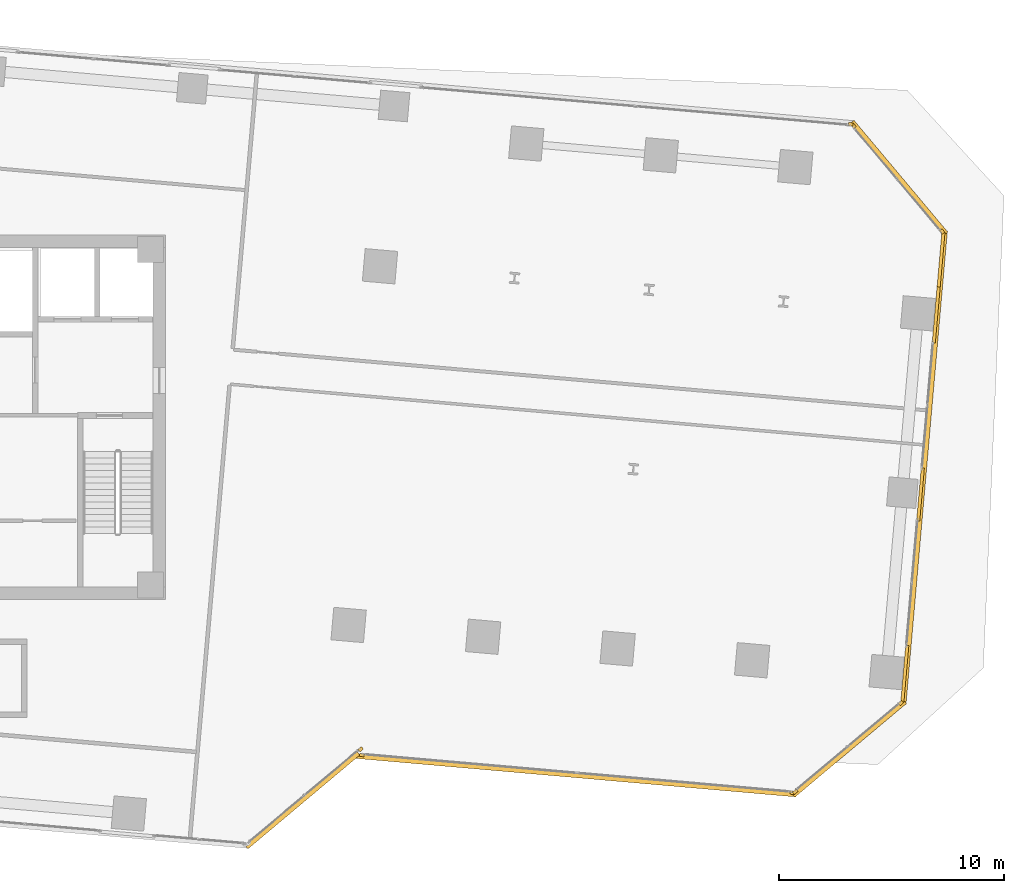
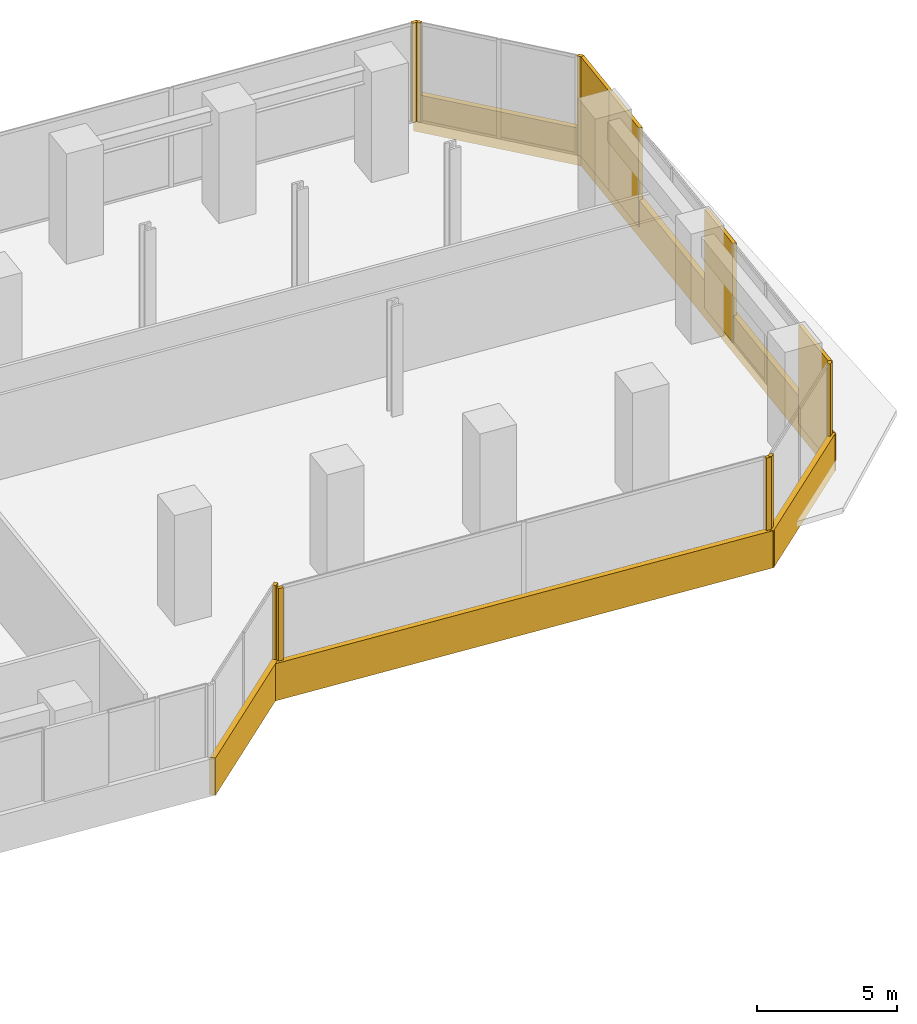
# One storey, part 23 of 24: 17 coverings.
"""IFC4 building model written with IfcOpenShell, lengths in metres."""

import ifcopenshell
import ifcopenshell.guid

model = None  # the IFC model being written
_history = None  # IfcOwnerHistory: only IFC2X3 demands one
_inside = {}  # id of a spatial element -> (the spatial element, [elements in it])
_under = {}  # id of a project, library or spatial element -> (it, [spatial elements below it])
_declared = {}  # id of a project -> (the project, [libraries it declares])
_typed = {}  # id of a type object -> (the type object, [elements of that type])
_made_of = {}  # id of a material, layer set ... -> (it, [elements and type objects made of it])


def new_model(schema):
    """Start an empty IFC model of exactly this schema.

    Asked for "IFC4X3", IfcOpenShell would pick the latest addendum, in which some entities
    have other attributes; the version numbers below select the first issue.
    IFC2X3 requires an IfcOwnerHistory on every rooted entity: one is made here for all.
    """
    global model, _history
    if schema == "IFC4X3":
        model = ifcopenshell.file(schema_version=(4, 3, 0, 0))
    else:
        model = ifcopenshell.file(schema=schema)
    _inside.clear()
    _under.clear()
    _declared.clear()
    _typed.clear()
    _made_of.clear()
    _history = None
    if model.schema == "IFC2X3":
        org = make("IfcOrganization", Name="unknown")
        user = make(
            "IfcPersonAndOrganization",
            ThePerson=make("IfcPerson", FamilyName="unknown"),
            TheOrganization=org,
        )
        app = make(
            "IfcApplication",
            ApplicationDeveloper=org,
            Version="unknown",
            ApplicationFullName="unknown",
            ApplicationIdentifier="unknown",
        )
        _history = make(
            "IfcOwnerHistory",
            OwningUser=user,
            OwningApplication=app,
            ChangeAction="ADDED",
            CreationDate=0,
        )
    return model


def make(cls, **values):
    """One entity of the class cls with the attributes given. An attribute that is None is left unset."""
    return model.create_entity(
        cls, **{name: value for name, value in values.items() if value is not None}
    )


def rooted(cls, **values):
    """An entity with a GlobalId (a new one), such as an element, a storey or a relation."""
    return make(cls, GlobalId=ifcopenshell.guid.new(), OwnerHistory=_history, **values)


def si_unit(unit_type, name, prefix=None):
    """IfcSIUnit, for example si_unit("LENGTHUNIT", "METRE", prefix="MILLI")."""
    return make("IfcSIUnit", UnitType=unit_type, Prefix=prefix, Name=name)


def assignment(units):
    """IfcUnitAssignment: the units of a project."""
    return None if units is None else make("IfcUnitAssignment", Units=units)


def point(xyz):
    """IfcCartesianPoint."""
    return None if xyz is None else make("IfcCartesianPoint", Coordinates=xyz)


def direction(xyz):
    """IfcDirection."""
    return None if xyz is None else make("IfcDirection", DirectionRatios=xyz)


def frame(location, z_axis=None, x_axis=None):
    """IfcAxis2Placement3D, a coordinate frame: its origin and axes. An axis left out is left unset."""
    return make(
        "IfcAxis2Placement3D",
        Location=point(location),
        Axis=direction(z_axis),
        RefDirection=direction(x_axis),
    )


def frame_2d(location, x_axis=None):
    """IfcAxis2Placement2D, a coordinate frame in the plane: its origin and x axis."""
    return make(
        "IfcAxis2Placement2D", Location=point(location), RefDirection=direction(x_axis)
    )


def origin():
    """The frame at (0, 0, 0) with its axes left unset."""
    return frame((0.0, 0.0, 0.0))


def origin_2d():
    """The frame at (0, 0) in the plane with its x axis left unset."""
    return frame_2d((0.0, 0.0))


def place(relative_to, where):
    """IfcLocalPlacement: puts the frame where relative to a parent placement (None: the world)."""
    return make(
        "IfcLocalPlacement", PlacementRelTo=relative_to, RelativePlacement=where
    )


def context(
    kind, dimensions, precision=None, world=None, true_north=None, identifier=None
):
    """IfcGeometricRepresentationContext, for example the 3D "Model" context."""
    return make(
        "IfcGeometricRepresentationContext",
        ContextIdentifier=identifier,
        ContextType=kind,
        CoordinateSpaceDimension=dimensions,
        Precision=precision,
        WorldCoordinateSystem=world,
        TrueNorth=true_north,
    )


def subcontext(parent, identifier, kind, view, scale=None):
    """IfcGeometricRepresentationSubContext, for example "Body" below "Model"."""
    return make(
        "IfcGeometricRepresentationSubContext",
        ContextIdentifier=identifier,
        ContextType=kind,
        ParentContext=parent,
        TargetScale=scale,
        TargetView=view,
    )


def project(units=None, contexts=None):
    """IfcProject with its units and contexts."""
    return rooted(
        "IfcProject",
        Name="project",
        RepresentationContexts=contexts,
        UnitsInContext=assignment(units),
    )


def spatial(cls, under=None, at=None, **own):
    """A site, building, storey or space (cls), placed at a placement, below another one or the project."""
    s = rooted(cls, ObjectPlacement=at, **own)
    if under is not None:
        _under.setdefault(under.id(), (under, []))[1].append(s)
    return s


def profile(cls, at=None, kind="AREA", **sizes):
    """A parametric profile (cls). Its sizes go by their IFC names, for example OverallWidth=200.0."""
    return make(cls, ProfileType=kind, Position=at, **sizes)


def rectangle(**sizes):
    """IfcRectangleProfileDef."""
    return profile("IfcRectangleProfileDef", **sizes)


def extrude(swept, where, along, depth):
    """IfcExtrudedAreaSolid: the profile swept, set in the frame where, extruded along a direction by depth."""
    return make(
        "IfcExtrudedAreaSolid",
        SweptArea=swept,
        Position=where,
        ExtrudedDirection=direction(along),
        Depth=depth,
    )


def shape(context_of_items, identifier, shape_type, items):
    """IfcShapeRepresentation: the items that make up one representation, for example the "Body"."""
    return make(
        "IfcShapeRepresentation",
        ContextOfItems=context_of_items,
        RepresentationIdentifier=identifier,
        RepresentationType=shape_type,
        Items=items,
    )


def source(mapping_origin, context_of_items, identifier, shape_type, items):
    """IfcRepresentationMap: a shape defined once, which mapped items show again and again."""
    return make(
        "IfcRepresentationMap",
        MappingOrigin=mapping_origin,
        MappedRepresentation=shape(context_of_items, identifier, shape_type, items),
    )


def transform(
    local_origin,
    x_axis=None,
    y_axis=None,
    z_axis=None,
    scale=None,
    scale2=None,
    scale3=None,
    uniform=True,
):
    """IfcCartesianTransformationOperator3D, or its non-uniform kind. x_axis, y_axis, z_axis: its Axis1, 2, 3."""
    if uniform:
        return make(
            "IfcCartesianTransformationOperator3D",
            Axis1=direction(x_axis),
            Axis2=direction(y_axis),
            LocalOrigin=point(local_origin),
            Scale=scale,
            Axis3=direction(z_axis),
        )
    return make(
        "IfcCartesianTransformationOperator3DnonUniform",
        Axis1=direction(x_axis),
        Axis2=direction(y_axis),
        LocalOrigin=point(local_origin),
        Scale=scale,
        Axis3=direction(z_axis),
        Scale2=scale2,
        Scale3=scale3,
    )


def mapped(mapping_source, mapping_target):
    """IfcMappedItem: shows the shape of a source again, moved by a transform."""
    return make(
        "IfcMappedItem", MappingSource=mapping_source, MappingTarget=mapping_target
    )


def material(Name=None, Category=None):
    """IfcMaterial."""
    return make("IfcMaterial", Name=Name, Category=Category)


def layer(
    of_material, thickness, ventilated=None, Name=None, Category=None, Priority=None
):
    """IfcMaterialLayer: one layer of a wall or slab, of a material (None: an air gap)."""
    return make(
        "IfcMaterialLayer",
        Material=of_material,
        LayerThickness=thickness,
        IsVentilated=ventilated,
        Name=Name,
        Category=Category,
        Priority=Priority,
    )


def layer_set(layers, Name=None):
    """IfcMaterialLayerSet."""
    return make("IfcMaterialLayerSet", MaterialLayers=layers, LayerSetName=Name)


def made_of(thing, what):
    """Note that an element or type object is made of a material, layer set ...; save() writes the relation."""
    if what is not None:
        _made_of.setdefault(what.id(), (what, []))[1].append(thing)
    return thing


def type_object(cls, material=None, **own):
    """A type object (cls), such as IfcWallType, which elements share."""
    return made_of(rooted(cls, **own), material)


def element(
    cls,
    number,
    at=None,
    inside=None,
    cuts=None,
    type_object=None,
    material=None,
    context=None,
    identifier="Body",
    shape_type=None,
    held_by="IfcProductDefinitionShape",
    body=None,
    shapes=None,
    **own,
):
    """One element of the class cls, such as IfcWall. Its Tag is "e" and its number.

    at: its placement. inside: the storey or other place that contains it. cuts: it is an
    opening in that element (IfcRelVoidsElement). A single representation is given by context,
    identifier, shape_type and body (its items); several are given by shapes. held_by: the class
    of the entity that holds the representations. save() writes the other relations.
    """
    e = rooted(cls, Tag="e%d" % number, ObjectPlacement=at, **own)
    if body is not None:
        shapes = [shape(context, identifier, shape_type, body)]
    if shapes is not None:
        e.Representation = make(held_by, Representations=shapes)
    if inside is not None:
        _inside.setdefault(inside.id(), (inside, []))[1].append(e)
    if cuts is not None:
        rooted(
            "IfcRelVoidsElement", RelatingBuildingElement=cuts, RelatedOpeningElement=e
        )
    if type_object is not None:
        _typed.setdefault(type_object.id(), (type_object, []))[1].append(e)
    return made_of(e, material)


def aggregate(whole, parts):
    """IfcRelAggregates: a whole, such as a stair, and the parts it consists of."""
    return rooted("IfcRelAggregates", RelatingObject=whole, RelatedObjects=parts)


def save(model, path):
    """Write the relations noted so far, then the file.

    IfcRelAggregates (storeys below a building ...), IfcRelContainedInSpatialStructure (elements
    in a storey), IfcRelDefinesByType, IfcRelAssociatesMaterial and IfcRelDeclares: one each for
    every whole, place, type object, material and project.
    """
    for whole, parts in _under.values():
        aggregate(whole, parts)
    for where, things in _inside.values():
        rooted(
            "IfcRelContainedInSpatialStructure",
            RelatedElements=things,
            RelatingStructure=where,
        )
    for kind, things in _typed.values():
        rooted("IfcRelDefinesByType", RelatedObjects=things, RelatingType=kind)
    for what, things in _made_of.values():
        rooted("IfcRelAssociatesMaterial", RelatedObjects=things, RelatingMaterial=what)
    for by, libraries in _declared.values():
        rooted("IfcRelDeclares", RelatingContext=by, RelatedDefinitions=libraries)
    model.write(path)


model = new_model("IFC4")

# Units and contexts
model_context = context("Model", 3, precision=1e-05, world=origin(), true_north=direction((0.0, 1.0)))
body_context = subcontext(model_context, "Body", "Model", "MODEL_VIEW")
ifc_project = project(units=[si_unit("LENGTHUNIT", "METRE"), si_unit("AREAUNIT", "SQUARE_METRE"), si_unit("VOLUMEUNIT", "CUBIC_METRE"), si_unit("PLANEANGLEUNIT", "RADIAN"), si_unit("MASSUNIT", "GRAM", prefix="KILO")], contexts=[model_context])

# Site, building, storey
site_placement = place(None, origin())
site = spatial("IfcSite", under=ifc_project, at=site_placement, CompositionType="ELEMENT")
building_placement = place(site_placement, origin())
building = spatial("IfcBuilding", under=site, at=building_placement, Name="Torre Montelarca", CompositionType="ELEMENT")
storey_placement = place(building_placement, frame((0.0, 0.0, 47.199951171875)))
storey = spatial("IfcBuildingStorey", under=building, at=storey_placement, Name="L10", CompositionType="ELEMENT", Elevation=47.199951171875)

# Coverings
ifc_material = material(Name="Bush-hammered warm white precast concrete C45/55", Category="concrete")
ifc_layer = layer(ifc_material, 0.139892578125, Name="Bush-hammered warm white precast concrete C45/55", Category="concrete")
ifc_layer_set = layer_set([ifc_layer], Name="Bush-hammered warm white precast concrete C45/55")
covering_type = type_object("IfcCoveringType", Name="COV-TRAY-CLAD", PredefinedType="CLADDING", material=ifc_layer_set)
shared_shape_1 = source(origin(), body_context, "Body", "SweptSolid", [
    extrude(rectangle(XDim=2.360107421875, YDim=0.139892578125, at=origin_2d()), origin(), (0.0, 0.0, 1.0), 4.320068359375),
])
covering_1_placement = place(storey_placement, frame((60.660400390625, 28.573974609375, 0.0), z_axis=(0.0, 0.0, 1.0), x_axis=(0.08716095881, 0.996194241732, 0.0)))
element("IfcCovering", 1, at=covering_1_placement, inside=storey, type_object=covering_type, Name="L10 Architectural Column Pier Cladding E06-2", PredefinedType="CLADDING", context=body_context, shape_type="MappedRepresentation", body=[
    mapped(shared_shape_1, transform((0.0, 0.0, 0.0), scale=1.0)),
])
shared_shape_2 = source(origin(), body_context, "Body", "SweptSolid", [
    extrude(rectangle(XDim=2.510009765625, YDim=0.139892578125, at=origin_2d()), origin(), (0.0, 0.0, 1.0), 4.320068359375),
])
covering_2_placement = place(storey_placement, frame((61.357666015625, 36.54345703125, 0.0), z_axis=(0.0, 0.0, 1.0), x_axis=(0.08716095881, 0.996194241732, 0.0)))
element("IfcCovering", 2, at=covering_2_placement, inside=storey, type_object=covering_type, Name="L10 Architectural Column Pier Cladding E06-3", PredefinedType="CLADDING", context=body_context, shape_type="MappedRepresentation", body=[
    mapped(shared_shape_2, transform((0.0, 0.0, 0.0), scale=1.0)),
])
shared_shape_3 = source(origin(), body_context, "Body", "SweptSolid", [
    extrude(rectangle(XDim=0.199951171875, YDim=0.139892578125, at=origin_2d()), origin(), (0.0, 0.0, 1.0), 4.320068359375),
])
for number, where, z_axis, x_axis, name in (
    (3, (35.78271484375, 17.240966796875, 0.0), (0.0, 0.0, 1.0), (0.766048930604, 0.642782261672, 0.0), "L10 Architectural Column Pier Cladding E02-2"),
    (4, (35.837890625, 16.9833984375, 0.0), (0.0, 0.0, 1.0), (0.996194241732, -0.08716095881, 0.0), "L10 Architectural Column Pier Cladding E04-1"),
    (5, (54.956787109375, 15.310546875, 0.0), (0.0, 0.0, 1.0), (0.996194241732, -0.08716095881, 0.0), "L10 Architectural Column Pier Cladding E04-2"),
    (6, (55.09521484375, 15.354248046875, 0.0), (0.0, 0.0, 1.0), (0.76603883371, 0.642794294661, 0.0), "L10 Architectural Column Pier Cladding E05-1"),
    (7, (59.79296875, 19.2958984375, 0.0), (0.0, 0.0, 1.0), (0.76603883371, 0.642794294661, 0.0), "L10 Architectural Column Pier Cladding E05-2"),
    (8, (61.62646484375, 40.25244140625, 0.0), (0.0, 0.0, 1.0), (-0.642794294661, 0.76603883371, 0.0), "L10 Architectural Column Pier Cladding E07-1"),
    (9, (57.6845703125, 44.949951171875, 0.0), (0.0, 0.0, 1.0), (-0.642794294661, 0.76603883371, 0.0), "L10 Architectural Column Pier Cladding E07-2"),
    (10, (57.555908203125, 45.01708984375, 0.0), (0.0, 0.0, 1.0), (-0.996194545975, 0.087157481435, 0.0), "L10 Architectural Column Pier Cladding E08-1"),
):
    element("IfcCovering", number, at=place(storey_placement, frame(where, z_axis=z_axis, x_axis=x_axis)), inside=storey, type_object=covering_type, Name=name, PredefinedType="CLADDING", context=body_context, shape_type="MappedRepresentation", body=[
        mapped(shared_shape_3, transform((0.0, 0.0, 0.0), scale=1.0)),
    ])
shared_shape_4 = source(origin(), body_context, "Body", "SweptSolid", [
    extrude(rectangle(XDim=6.48388671875, YDim=0.219970703125, at=origin_2d()), origin(), (0.0, 0.0, 1.0), 1.6201171875),
])
for number, where, z_axis, x_axis, name in (
    (11, (33.190673828125, 14.987548828125, -0.449951171875), (0.0, 0.0, 1.0), (0.766052296194, 0.64277825064, 0.0), "L10 Architectural White Spandrel Tray Band TRYBOT-02"),
    (12, (57.482666015625, 17.279052734375, -0.449951171875), (0.0, 0.0, 1.0), (0.766044443119, 0.642787609687, 0.0), "L10 Architectural White Spandrel Tray Band TRYBOT-05"),
    (13, (59.701416015625, 42.639892578125, -0.449951171875), (0.0, 0.0, 1.0), (-0.642787609687, 0.766044443119, 0.0), "L10 Architectural White Spandrel Tray Band TRYBOT-07"),
):
    element("IfcCovering", number, at=place(storey_placement, frame(where, z_axis=z_axis, x_axis=x_axis)), inside=storey, type_object=covering_type, Name=name, PredefinedType="CLADDING", context=body_context, shape_type="MappedRepresentation", body=[
        mapped(shared_shape_4, transform((0.0, 0.0, 0.0), scale=1.0)),
    ])
shared_shape_5 = source(origin(), body_context, "Body", "SweptSolid", [
    extrude(rectangle(XDim=2.5390625, YDim=0.139892578125, at=origin_2d()), origin(), (0.0, 0.0, 1.0), 4.320068359375),
])
covering_3_placement = place(storey_placement, frame((59.9619140625, 20.58984375, 0.0), z_axis=(0.0, 0.0, 1.0), x_axis=(0.08716095881, 0.996194241732, 0.0)))
element("IfcCovering", 14, at=covering_3_placement, inside=storey, type_object=covering_type, Name="L10 Architectural Column Pier Cladding E06-1", PredefinedType="CLADDING", context=body_context, shape_type="MappedRepresentation", body=[
    mapped(shared_shape_5, transform((0.0, 0.0, 0.0), scale=1.0)),
])
shared_shape_6 = source(origin(), body_context, "Body", "SweptSolid", [
    extrude(rectangle(XDim=2.529052734375, YDim=0.139892578125, at=origin_2d()), origin(), (0.0, 0.0, 1.0), 4.320068359375),
])
covering_4_placement = place(storey_placement, frame((61.568603515625, 38.953857421875, 0.0), z_axis=(0.0, 0.0, 1.0), x_axis=(0.08716095881, 0.996194241732, 0.0)))
element("IfcCovering", 15, at=covering_4_placement, inside=storey, type_object=covering_type, Name="L10 Architectural Column Pier Cladding E06-4", PredefinedType="CLADDING", context=body_context, shape_type="MappedRepresentation", body=[
    mapped(shared_shape_6, transform((0.0, 0.0, 0.0), scale=1.0)),
])
shared_shape_7 = source(origin(), body_context, "Body", "SweptSolid", [
    extrude(rectangle(XDim=19.6201171875, YDim=0.219970703125, at=origin_2d()), origin(), (0.0, 0.0, 1.0), 1.6201171875),
])
covering_5_placement = place(storey_placement, frame((45.35400390625, 16.09033203125, -0.449951171875), z_axis=(0.0, 0.0, 1.0), x_axis=(0.996194850206, -0.08715400406, 0.0)))
element("IfcCovering", 16, at=covering_5_placement, inside=storey, type_object=covering_type, Name="L10 Architectural White Spandrel Tray Band TRYBOT-04", PredefinedType="CLADDING", context=body_context, shape_type="MappedRepresentation", body=[
    mapped(shared_shape_7, transform((0.0, 0.0, 0.0), scale=1.0)),
])
shared_shape_8 = source(origin(), body_context, "Body", "SweptSolid", [
    extrude(rectangle(XDim=21.119873046875, YDim=0.219970703125, at=origin_2d()), origin(), (0.0, 0.0, 1.0), 1.6201171875),
])
covering_6_placement = place(storey_placement, frame((60.82470703125, 29.76416015625, -0.449951171875), z_axis=(0.0, 0.0, 1.0), x_axis=(0.087157481435, 0.996194545975, 0.0)))
element("IfcCovering", 17, at=covering_6_placement, inside=storey, type_object=covering_type, Name="L10 Architectural White Spandrel Tray Band TRYBOT-06", PredefinedType="CLADDING", context=body_context, shape_type="MappedRepresentation", body=[
    mapped(shared_shape_8, transform((0.0, 0.0, 0.0), scale=1.0)),
])

save(model, "model.ifc")
